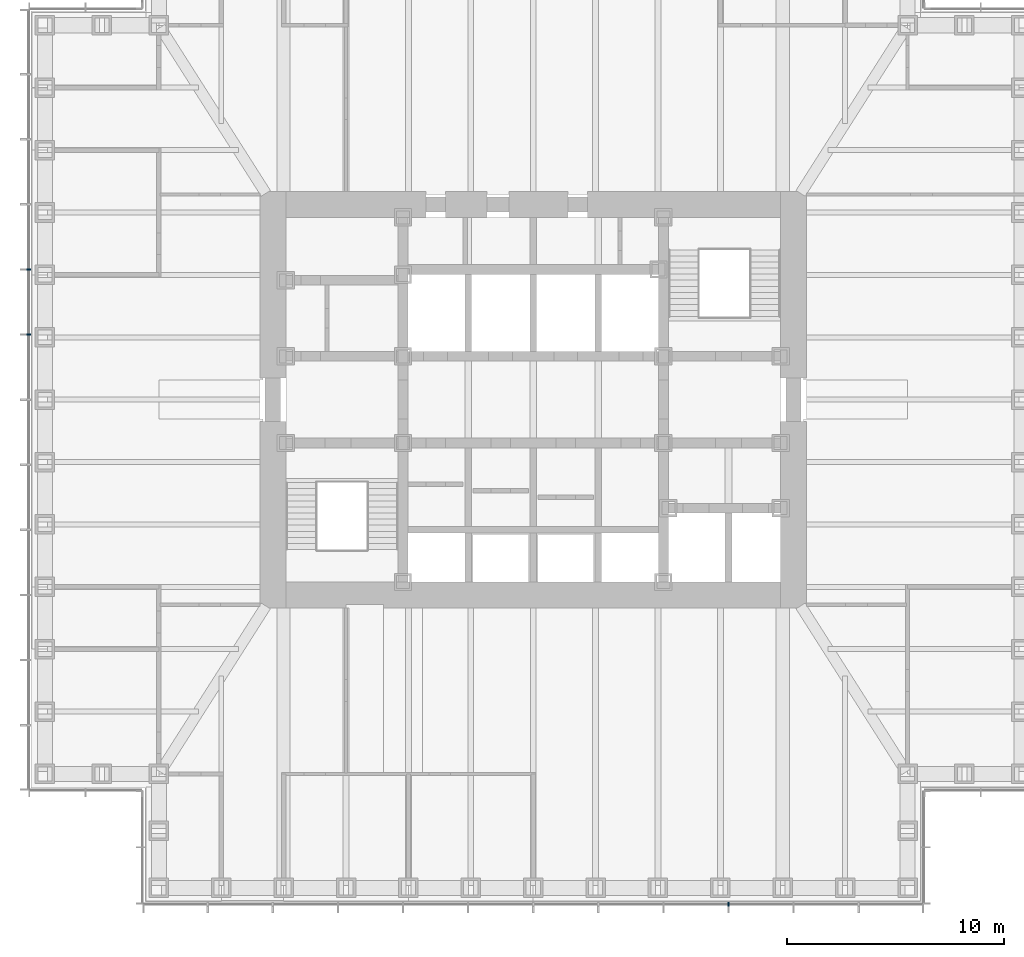
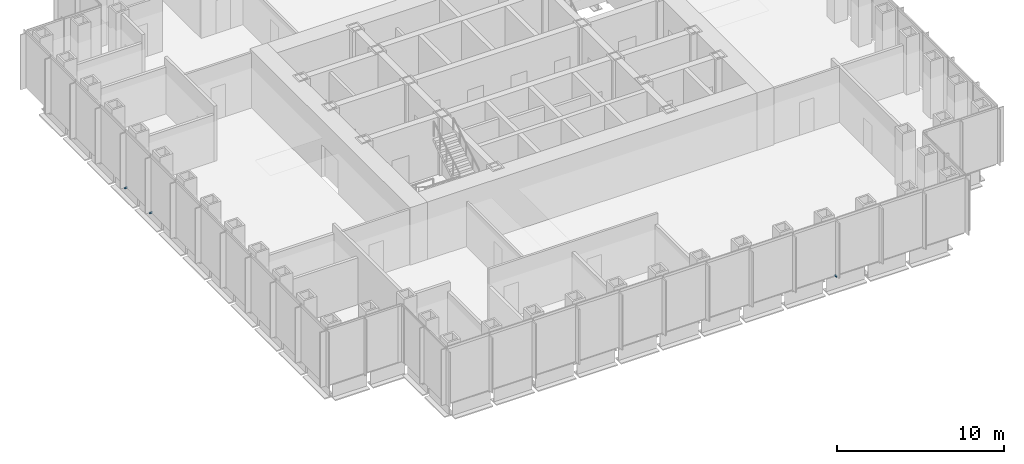
# One storey, part 13 of 17: 3 discrete accessories.
"""IFC4 building model written with IfcOpenShell, lengths in metres."""

import ifcopenshell
import ifcopenshell.guid

model = None  # the IFC model being written
_history = None  # IfcOwnerHistory: only IFC2X3 demands one
_inside = {}  # id of a spatial element -> (the spatial element, [elements in it])
_under = {}  # id of a project, library or spatial element -> (it, [spatial elements below it])
_declared = {}  # id of a project -> (the project, [libraries it declares])
_typed = {}  # id of a type object -> (the type object, [elements of that type])
_made_of = {}  # id of a material, layer set ... -> (it, [elements and type objects made of it])


def new_model(schema):
    """Start an empty IFC model of exactly this schema.

    Asked for "IFC4X3", IfcOpenShell would pick the latest addendum, in which some entities
    have other attributes; the version numbers below select the first issue.
    IFC2X3 requires an IfcOwnerHistory on every rooted entity: one is made here for all.
    """
    global model, _history
    if schema == "IFC4X3":
        model = ifcopenshell.file(schema_version=(4, 3, 0, 0))
    else:
        model = ifcopenshell.file(schema=schema)
    _inside.clear()
    _under.clear()
    _declared.clear()
    _typed.clear()
    _made_of.clear()
    _history = None
    if model.schema == "IFC2X3":
        org = make("IfcOrganization", Name="unknown")
        user = make(
            "IfcPersonAndOrganization",
            ThePerson=make("IfcPerson", FamilyName="unknown"),
            TheOrganization=org,
        )
        app = make(
            "IfcApplication",
            ApplicationDeveloper=org,
            Version="unknown",
            ApplicationFullName="unknown",
            ApplicationIdentifier="unknown",
        )
        _history = make(
            "IfcOwnerHistory",
            OwningUser=user,
            OwningApplication=app,
            ChangeAction="ADDED",
            CreationDate=0,
        )
    return model


def make(cls, **values):
    """One entity of the class cls with the attributes given. An attribute that is None is left unset."""
    return model.create_entity(
        cls, **{name: value for name, value in values.items() if value is not None}
    )


def rooted(cls, **values):
    """An entity with a GlobalId (a new one), such as an element, a storey or a relation."""
    return make(cls, GlobalId=ifcopenshell.guid.new(), OwnerHistory=_history, **values)


def si_unit(unit_type, name, prefix=None):
    """IfcSIUnit, for example si_unit("LENGTHUNIT", "METRE", prefix="MILLI")."""
    return make("IfcSIUnit", UnitType=unit_type, Prefix=prefix, Name=name)


def assignment(units):
    """IfcUnitAssignment: the units of a project."""
    return None if units is None else make("IfcUnitAssignment", Units=units)


def point(xyz):
    """IfcCartesianPoint."""
    return None if xyz is None else make("IfcCartesianPoint", Coordinates=xyz)


def direction(xyz):
    """IfcDirection."""
    return None if xyz is None else make("IfcDirection", DirectionRatios=xyz)


def frame(location, z_axis=None, x_axis=None):
    """IfcAxis2Placement3D, a coordinate frame: its origin and axes. An axis left out is left unset."""
    return make(
        "IfcAxis2Placement3D",
        Location=point(location),
        Axis=direction(z_axis),
        RefDirection=direction(x_axis),
    )


def frame_2d(location, x_axis=None):
    """IfcAxis2Placement2D, a coordinate frame in the plane: its origin and x axis."""
    return make(
        "IfcAxis2Placement2D", Location=point(location), RefDirection=direction(x_axis)
    )


def origin():
    """The frame at (0, 0, 0) with its axes left unset."""
    return frame((0.0, 0.0, 0.0))


def origin_2d():
    """The frame at (0, 0) in the plane with its x axis left unset."""
    return frame_2d((0.0, 0.0))


def place(relative_to, where):
    """IfcLocalPlacement: puts the frame where relative to a parent placement (None: the world)."""
    return make(
        "IfcLocalPlacement", PlacementRelTo=relative_to, RelativePlacement=where
    )


def context(
    kind, dimensions, precision=None, world=None, true_north=None, identifier=None
):
    """IfcGeometricRepresentationContext, for example the 3D "Model" context."""
    return make(
        "IfcGeometricRepresentationContext",
        ContextIdentifier=identifier,
        ContextType=kind,
        CoordinateSpaceDimension=dimensions,
        Precision=precision,
        WorldCoordinateSystem=world,
        TrueNorth=true_north,
    )


def subcontext(parent, identifier, kind, view, scale=None):
    """IfcGeometricRepresentationSubContext, for example "Body" below "Model"."""
    return make(
        "IfcGeometricRepresentationSubContext",
        ContextIdentifier=identifier,
        ContextType=kind,
        ParentContext=parent,
        TargetScale=scale,
        TargetView=view,
    )


def project(units=None, contexts=None):
    """IfcProject with its units and contexts."""
    return rooted(
        "IfcProject",
        Name="project",
        RepresentationContexts=contexts,
        UnitsInContext=assignment(units),
    )


def spatial(cls, under=None, at=None, **own):
    """A site, building, storey or space (cls), placed at a placement, below another one or the project."""
    s = rooted(cls, ObjectPlacement=at, **own)
    if under is not None:
        _under.setdefault(under.id(), (under, []))[1].append(s)
    return s


def profile(cls, at=None, kind="AREA", **sizes):
    """A parametric profile (cls). Its sizes go by their IFC names, for example OverallWidth=200.0."""
    return make(cls, ProfileType=kind, Position=at, **sizes)


def rectangle(**sizes):
    """IfcRectangleProfileDef."""
    return profile("IfcRectangleProfileDef", **sizes)


def extrude(swept, where, along, depth):
    """IfcExtrudedAreaSolid: the profile swept, set in the frame where, extruded along a direction by depth."""
    return make(
        "IfcExtrudedAreaSolid",
        SweptArea=swept,
        Position=where,
        ExtrudedDirection=direction(along),
        Depth=depth,
    )


def shape(context_of_items, identifier, shape_type, items):
    """IfcShapeRepresentation: the items that make up one representation, for example the "Body"."""
    return make(
        "IfcShapeRepresentation",
        ContextOfItems=context_of_items,
        RepresentationIdentifier=identifier,
        RepresentationType=shape_type,
        Items=items,
    )


def made_of(thing, what):
    """Note that an element or type object is made of a material, layer set ...; save() writes the relation."""
    if what is not None:
        _made_of.setdefault(what.id(), (what, []))[1].append(thing)
    return thing


def element(
    cls,
    number,
    at=None,
    inside=None,
    cuts=None,
    type_object=None,
    material=None,
    context=None,
    identifier="Body",
    shape_type=None,
    held_by="IfcProductDefinitionShape",
    body=None,
    shapes=None,
    **own,
):
    """One element of the class cls, such as IfcWall. Its Tag is "e" and its number.

    at: its placement. inside: the storey or other place that contains it. cuts: it is an
    opening in that element (IfcRelVoidsElement). A single representation is given by context,
    identifier, shape_type and body (its items); several are given by shapes. held_by: the class
    of the entity that holds the representations. save() writes the other relations.
    """
    e = rooted(cls, Tag="e%d" % number, ObjectPlacement=at, **own)
    if body is not None:
        shapes = [shape(context, identifier, shape_type, body)]
    if shapes is not None:
        e.Representation = make(held_by, Representations=shapes)
    if inside is not None:
        _inside.setdefault(inside.id(), (inside, []))[1].append(e)
    if cuts is not None:
        rooted(
            "IfcRelVoidsElement", RelatingBuildingElement=cuts, RelatedOpeningElement=e
        )
    if type_object is not None:
        _typed.setdefault(type_object.id(), (type_object, []))[1].append(e)
    return made_of(e, material)


def aggregate(whole, parts):
    """IfcRelAggregates: a whole, such as a stair, and the parts it consists of."""
    return rooted("IfcRelAggregates", RelatingObject=whole, RelatedObjects=parts)


def save(model, path):
    """Write the relations noted so far, then the file.

    IfcRelAggregates (storeys below a building ...), IfcRelContainedInSpatialStructure (elements
    in a storey), IfcRelDefinesByType, IfcRelAssociatesMaterial and IfcRelDeclares: one each for
    every whole, place, type object, material and project.
    """
    for whole, parts in _under.values():
        aggregate(whole, parts)
    for where, things in _inside.values():
        rooted(
            "IfcRelContainedInSpatialStructure",
            RelatedElements=things,
            RelatingStructure=where,
        )
    for kind, things in _typed.values():
        rooted("IfcRelDefinesByType", RelatedObjects=things, RelatingType=kind)
    for what, things in _made_of.values():
        rooted("IfcRelAssociatesMaterial", RelatedObjects=things, RelatingMaterial=what)
    for by, libraries in _declared.values():
        rooted("IfcRelDeclares", RelatingContext=by, RelatedDefinitions=libraries)
    model.write(path)


model = new_model("IFC4")

# Units and contexts
model_context = context("Model", 3, precision=1e-05, world=origin(), true_north=direction((0.0, 1.0)))
body_context = subcontext(model_context, "Body", "Model", "MODEL_VIEW")
ifc_project = project(units=[si_unit("LENGTHUNIT", "METRE"), si_unit("AREAUNIT", "SQUARE_METRE"), si_unit("VOLUMEUNIT", "CUBIC_METRE"), si_unit("PLANEANGLEUNIT", "RADIAN"), si_unit("MASSUNIT", "GRAM", prefix="KILO")], contexts=[model_context])

# Site, building, storey
site_placement = place(None, origin())
site = spatial("IfcSite", under=ifc_project, at=site_placement, CompositionType="ELEMENT")
building_placement = place(site_placement, origin())
building = spatial("IfcBuilding", under=site, at=building_placement, Name="Daluyong Arena Tower", CompositionType="ELEMENT")
storey_placement = place(building_placement, frame((0.0, 0.0, 154.300048828125)))
storey = spatial("IfcBuildingStorey", under=building, at=storey_placement, Name="L34", CompositionType="ELEMENT", Elevation=154.300048828125)

# Discrete accessories
for number, where, z_axis, x_axis, name in (
    (1, (65.0, 56.75, -0.10009765625), (0.0, 0.0, 1.0), (1.0, 0.0, 0.0), "curtain wall L34 S anchor bracket 10"),
    (2, (32.75, 86.0, -0.10009765625), (0.0, 0.0, 1.0), (0.0, -1.0, 0.0), "curtain wall L34 W anchor bracket 5"),
    (3, (32.75, 83.0, -0.10009765625), (0.0, 0.0, 1.0), (0.0, -1.0, 0.0), "curtain wall L34 W anchor bracket 6"),
):
    element("IfcDiscreteAccessory", number, at=place(storey_placement, frame(where, z_axis=z_axis, x_axis=x_axis)), inside=storey, Name=name, PredefinedType="BRACKET", context=body_context, shape_type="SweptSolid", body=[
        extrude(rectangle(XDim=0.080078125, YDim=0.199951171875, at=origin_2d()), origin(), (0.0, 0.0, 1.0), 0.10009765625),
    ])

save(model, "model.ifc")
